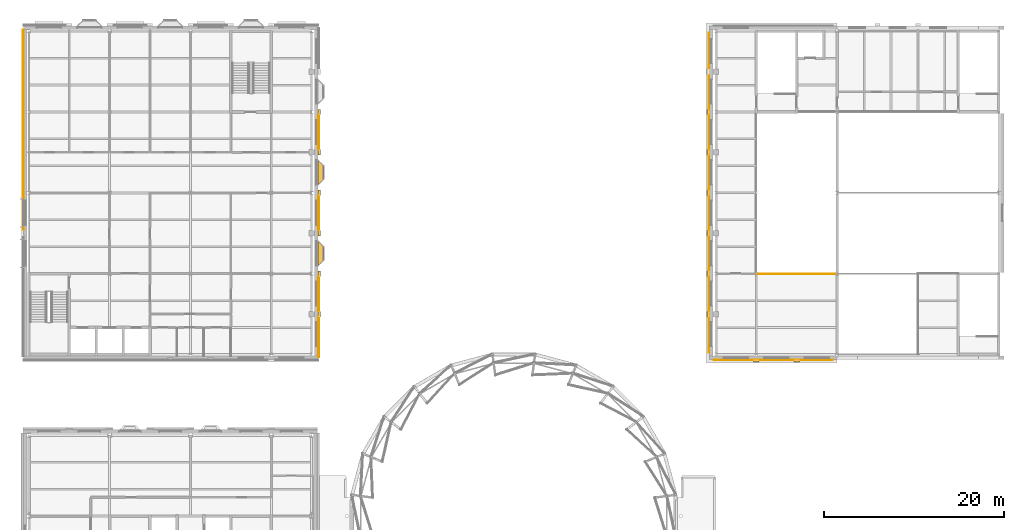
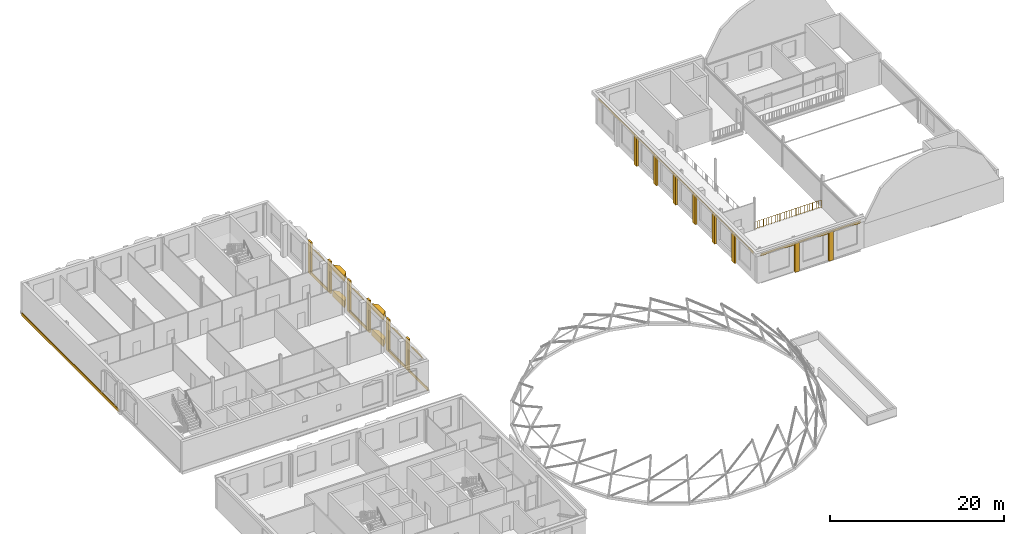
# One storey, part 52 of 59: 29 coverings, 1 railing.
"""IFC4 building model written with IfcOpenShell, lengths in metres."""

from ifc_helpers import new_model, si_unit, direction, frame, origin, origin_2d, place, context, subcontext, project, spatial, polyline, rectangle, circle, outline, extrude, material, layer, layer_set, type_object, element, save


model = new_model("IFC4")

# Units and contexts
model_context = context("Model", 3, precision=1e-05, world=origin(), true_north=direction((0.0, 1.0)))
body_context = subcontext(model_context, "Body", "Model", "MODEL_VIEW")
ifc_project = project(units=[si_unit("LENGTHUNIT", "METRE"), si_unit("AREAUNIT", "SQUARE_METRE"), si_unit("VOLUMEUNIT", "CUBIC_METRE"), si_unit("PLANEANGLEUNIT", "RADIAN"), si_unit("MASSUNIT", "GRAM", prefix="KILO")], contexts=[model_context])

# Site, building, storey
site_placement = place(None, origin())
site = spatial("IfcSite", under=ifc_project, at=site_placement, CompositionType="ELEMENT")
building_placement = place(site_placement, origin())
building = spatial("IfcBuilding", under=site, at=building_placement, Name="Hortulan Conservatory and Botanical Research Centre", CompositionType="ELEMENT")
storey_placement = place(building_placement, frame((0.0, 0.0, 10.5)))
storey = spatial("IfcBuildingStorey", under=building, at=storey_placement, Name="L02", CompositionType="ELEMENT", Elevation=10.5)

# Coverings
ifc_material_1 = material(Name="Faience cladding, cream glaze (non-combustible)", Category="ceramic")
ifc_layer_1 = layer(ifc_material_1, 0.030029296875)
ifc_layer_set_1 = layer_set([ifc_layer_1], Name="Faience Ogee Head Panel Cream 2700x500")
covering_type_1 = type_object("IfcCoveringType", Name="Faience Ogee Head Panel Cream 2700x500", PredefinedType="CLADDING", material=ifc_layer_set_1)
covering_1_placement = place(storey_placement, frame((32.239990234375, 53.10009765625, 3.820068359375), z_axis=(0.0, 0.0, 1.0), x_axis=(0.0, -1.0, 0.0)))
element("IfcCovering", 1, at=covering_1_placement, inside=storey, type_object=covering_type_1, Name="Ogee head panel", PredefinedType="CLADDING", context=body_context, shape_type="SweptSolid", body=[
    extrude(outline(polyline([(0.0, 0.0), (2.699951171875, 0.0), (2.699951171875, 0.079833984375), (2.58740234375, 0.1484375), (2.47509765625, 0.208251953125), (2.362548828125, 0.252197265625), (2.25, 0.278076171875), (2.137451171875, 0.28857421875), (2.02490234375, 0.2900390625), (1.91259765625, 0.291259765625), (1.800048828125, 0.3017578125), (1.6875, 0.32763671875), (1.574951171875, 0.371826171875), (1.46240234375, 0.431396484375), (1.35009765625, 0.5), (1.237548828125, 0.431396484375), (1.125, 0.371826171875), (1.012451171875, 0.32763671875), (0.89990234375, 0.3017578125), (0.78759765625, 0.291259765625), (0.675048828125, 0.2900390625), (0.5625, 0.28857421875), (0.449951171875, 0.278076171875), (0.33740234375, 0.252197265625), (0.22509765625, 0.208251953125), (0.112548828125, 0.1484375), (0.0, 0.079833984375), (0.0, 0.0)])), frame((0.0, 0.01513671875, 0.0), z_axis=(0.0, -1.0, 0.0), x_axis=(1.0, 0.0, 0.0)), (0.0, 0.0, 1.0), 0.030029296875),
])
ifc_material_2 = material(Name="Faience cladding, waratah crimson glaze (non-combustible)", Category="ceramic")
ifc_layer_2 = layer(ifc_material_2, 0.030029296875)
ifc_layer_set_2 = layer_set([ifc_layer_2], Name="Faience Ogee Head Panel Crimson 2700x500")
covering_type_2 = type_object("IfcCoveringType", Name="Faience Ogee Head Panel Crimson 2700x500", PredefinedType="CLADDING", material=ifc_layer_set_2)
for number, where, z_axis, x_axis, name in (
    (2, (32.239990234375, 39.60009765625, 3.820068359375), (0.0, 0.0, 1.0), (0.0, -1.0, 0.0), "Ogee head panel"),
    (3, (32.239990234375, 62.10009765625, 3.820068359375), (0.0, 0.0, 1.0), (0.0, -1.0, 0.0), "Ogee head panel"),
):
    element("IfcCovering", number, at=place(storey_placement, frame(where, z_axis=z_axis, x_axis=x_axis)), inside=storey, type_object=covering_type_2, Name=name, PredefinedType="CLADDING", context=body_context, shape_type="SweptSolid", body=[
        extrude(outline(polyline([(0.0, 0.0), (2.699951171875, 0.0), (2.699951171875, 0.079833984375), (2.58740234375, 0.1484375), (2.47509765625, 0.208251953125), (2.362548828125, 0.252197265625), (2.25, 0.278076171875), (2.137451171875, 0.28857421875), (2.02490234375, 0.2900390625), (1.91259765625, 0.291259765625), (1.800048828125, 0.3017578125), (1.6875, 0.32763671875), (1.574951171875, 0.371826171875), (1.46240234375, 0.431396484375), (1.35009765625, 0.5), (1.237548828125, 0.431396484375), (1.125, 0.371826171875), (1.012451171875, 0.32763671875), (0.89990234375, 0.3017578125), (0.78759765625, 0.291259765625), (0.675048828125, 0.2900390625), (0.5625, 0.28857421875), (0.449951171875, 0.278076171875), (0.33740234375, 0.252197265625), (0.22509765625, 0.208251953125), (0.112548828125, 0.1484375), (0.0, 0.079833984375), (0.0, 0.0)])), frame((0.0, 0.01513671875, 0.0), z_axis=(0.0, -1.0, 0.0), x_axis=(1.0, 0.0, 0.0)), (0.0, 0.0, 1.0), 0.030029296875),
    ])
ifc_material_3 = material(Name="Faience cladding, harbour teal glaze (non-combustible)", Category="ceramic")
ifc_layer_3 = layer(ifc_material_3, 0.030029296875)
ifc_layer_set_3 = layer_set([ifc_layer_3], Name="Faience Ogee Head Panel Teal 2700x500")
covering_type_3 = type_object("IfcCoveringType", Name="Faience Ogee Head Panel Teal 2700x500", PredefinedType="CLADDING", material=ifc_layer_set_3)
covering_2_placement = place(storey_placement, frame((32.239990234375, 44.10009765625, 3.820068359375), z_axis=(0.0, 0.0, 1.0), x_axis=(0.0, -1.0, 0.0)))
element("IfcCovering", 4, at=covering_2_placement, inside=storey, type_object=covering_type_3, Name="Ogee head panel", PredefinedType="CLADDING", context=body_context, shape_type="SweptSolid", body=[
    extrude(outline(polyline([(0.0, 0.0), (2.699951171875, 0.0), (2.699951171875, 0.079833984375), (2.58740234375, 0.1484375), (2.47509765625, 0.208251953125), (2.362548828125, 0.252197265625), (2.25, 0.278076171875), (2.137451171875, 0.28857421875), (2.02490234375, 0.2900390625), (1.91259765625, 0.291259765625), (1.800048828125, 0.3017578125), (1.6875, 0.32763671875), (1.574951171875, 0.371826171875), (1.46240234375, 0.431396484375), (1.35009765625, 0.5), (1.237548828125, 0.431396484375), (1.125, 0.371826171875), (1.012451171875, 0.32763671875), (0.89990234375, 0.3017578125), (0.78759765625, 0.291259765625), (0.675048828125, 0.2900390625), (0.5625, 0.28857421875), (0.449951171875, 0.278076171875), (0.33740234375, 0.252197265625), (0.22509765625, 0.208251953125), (0.112548828125, 0.1484375), (0.0, 0.079833984375), (0.0, 0.0)])), frame((0.0, 0.01513671875, 0.0), z_axis=(0.0, -1.0, 0.0), x_axis=(1.0, 0.0, 0.0)), (0.0, 0.0, 1.0), 0.030029296875),
])
ifc_material_4 = material(Name="Faience-faced brickwork masonry", Category="masonry")
covering_type_4 = type_object("IfcCoveringType", Name="Faience Oriel Base", PredefinedType="CLADDING", material=ifc_material_4)
covering_3_placement = place(storey_placement, origin())
element("IfcCovering", 5, at=covering_3_placement, inside=storey, type_object=covering_type_4, Name="Oriel base", PredefinedType="CLADDING", context=body_context, shape_type="SweptSolid", body=[
    extrude(outline(polyline([(32.22509765625, 48.60009765625), (32.824951171875, 48.0), (32.824951171875, 46.5), (32.22509765625, 45.89990234375), (32.22509765625, 48.60009765625)])), origin(), (0.0, 0.0, 1.0), 0.89990234375),
])
covering_4_placement = place(storey_placement, origin())
element("IfcCovering", 6, at=covering_4_placement, inside=storey, type_object=covering_type_4, Name="Oriel base", PredefinedType="CLADDING", context=body_context, shape_type="SweptSolid", body=[
    extrude(outline(polyline([(32.22509765625, 57.60009765625), (32.824951171875, 57.0), (32.824951171875, 55.5), (32.22509765625, 54.89990234375), (32.22509765625, 57.60009765625)])), origin(), (0.0, 0.0, 1.0), 0.89990234375),
])
covering_type_5 = type_object("IfcCoveringType", Name="Faience Oriel Frieze", PredefinedType="CLADDING", material=ifc_material_4)
covering_5_placement = place(storey_placement, frame((0.0, 0.0, 3.699951171875)))
element("IfcCovering", 7, at=covering_5_placement, inside=storey, type_object=covering_type_5, Name="Oriel frieze", PredefinedType="CLADDING", context=body_context, shape_type="SweptSolid", body=[
    extrude(outline(polyline([(32.22509765625, 48.60009765625), (32.824951171875, 48.0), (32.824951171875, 46.5), (32.22509765625, 45.89990234375), (32.22509765625, 48.60009765625)])), origin(), (0.0, 0.0, 1.0), 0.800048828125),
])
covering_6_placement = place(storey_placement, frame((0.0, 0.0, 3.699951171875)))
element("IfcCovering", 8, at=covering_6_placement, inside=storey, type_object=covering_type_5, Name="Oriel frieze", PredefinedType="CLADDING", context=body_context, shape_type="SweptSolid", body=[
    extrude(outline(polyline([(32.22509765625, 57.60009765625), (32.824951171875, 57.0), (32.824951171875, 55.5), (32.22509765625, 54.89990234375), (32.22509765625, 57.60009765625)])), origin(), (0.0, 0.0, 1.0), 0.800048828125),
])
ifc_layer_4 = layer(ifc_material_1, 0.25)
ifc_layer_set_4 = layer_set([ifc_layer_4], Name="Faience Pilaster 600x250")
covering_type_6 = type_object("IfcCoveringType", Name="Faience Pilaster 600x250", PredefinedType="CLADDING", material=ifc_layer_set_4)
for number, where, z_axis, x_axis, name in (
    (9, (32.35009765625, 63.0, 0.0), (0.0, 0.0, 1.0), (0.0, -1.0, 0.0), "Pier"),
    (10, (32.35009765625, 58.5, 0.0), (0.0, 0.0, 1.0), (0.0, -1.0, 0.0), "Pier"),
    (11, (32.35009765625, 54.0, 0.0), (0.0, 0.0, 1.0), (0.0, -1.0, 0.0), "Pier"),
    (12, (32.35009765625, 49.5, 0.0), (0.0, 0.0, 1.0), (0.0, -1.0, 0.0), "Pier"),
    (13, (32.35009765625, 45.0, 0.0), (0.0, 0.0, 1.0), (0.0, -1.0, 0.0), "Pier"),
    (14, (32.35009765625, 40.5, 0.0), (0.0, 0.0, 1.0), (0.0, -1.0, 0.0), "Pier"),
):
    element("IfcCovering", number, at=place(storey_placement, frame(where, z_axis=z_axis, x_axis=x_axis)), inside=storey, type_object=covering_type_6, Name=name, PredefinedType="CLADDING", context=body_context, shape_type="SweptSolid", body=[
        extrude(rectangle(XDim=0.60009765625, YDim=0.25, at=origin_2d()), origin(), (0.0, 0.0, 1.0), 4.5),
    ])
for number, where, z_axis, x_axis, name in (
    (15, (85.5, 35.29541015625, 0.0), (0.0, 0.0, 1.0), (-1.0, 0.0, 0.0), "Pier"),
    (16, (81.0, 35.29541015625, 0.0), (0.0, 0.0, 1.0), (-1.0, 0.0, 0.0), "Pier"),
    (17, (75.64990234375, 40.5, 0.0), (0.0, 0.0, 1.0), (0.0, 1.0, 0.0), "Pier"),
    (18, (75.64990234375, 45.0, 0.0), (0.0, 0.0, 1.0), (0.0, 1.0, 0.0), "Pier"),
    (19, (75.64990234375, 49.5, 0.0), (0.0, 0.0, 1.0), (0.0, 1.0, 0.0), "Pier"),
    (20, (75.64990234375, 54.0, 0.0), (0.0, 0.0, 1.0), (0.0, 1.0, 0.0), "Pier"),
    (21, (75.64990234375, 58.5, 0.0), (0.0, 0.0, 1.0), (0.0, 1.0, 0.0), "Pier"),
    (22, (75.64990234375, 63.0, 0.0), (0.0, 0.0, 1.0), (0.0, 1.0, 0.0), "Pier"),
):
    element("IfcCovering", number, at=place(storey_placement, frame(where, z_axis=z_axis, x_axis=x_axis)), inside=storey, type_object=covering_type_6, Name=name, PredefinedType="CLADDING", context=body_context, shape_type="SweptSolid", body=[
        extrude(rectangle(XDim=0.60009765625, YDim=0.25, at=origin_2d()), origin(), (0.0, 0.0, 1.0), 4.050048828125),
    ])
ifc_layer_5 = layer(ifc_material_3, 0.10009765625)
ifc_layer_set_5 = layer_set([ifc_layer_5], Name="Faience String Course 400x100 Teal")
covering_type_7 = type_object("IfcCoveringType", Name="Faience String Course 400x100 Teal", PredefinedType="CLADDING", material=ifc_layer_set_5)
covering_7_placement = place(storey_placement, frame((-0.62939453125, 60.999755859375, 0.0), z_axis=(0.0, 0.0, 1.0), x_axis=(0.0, 1.0, 0.0)))
element("IfcCovering", 23, at=covering_7_placement, inside=storey, type_object=covering_type_7, Name="String course", PredefinedType="CLADDING", context=body_context, shape_type="SweptSolid", body=[
    extrude(rectangle(XDim=22.359619140625, YDim=0.10009765625, at=origin_2d()), origin(), (0.0, 0.0, 1.0), 0.39990234375),
])
for number, where, z_axis, x_axis, name in (
    (24, (32.27490234375, 60.75, 0.0), (0.0, 0.0, 1.0), (0.0, -1.0, 0.0), "String course"),
    (25, (32.27490234375, 51.75, 0.0), (0.0, 0.0, 1.0), (0.0, -1.0, 0.0), "String course"),
    (26, (32.27490234375, 42.75, 0.0), (0.0, 0.0, 1.0), (0.0, -1.0, 0.0), "String course"),
):
    element("IfcCovering", number, at=place(storey_placement, frame(where, z_axis=z_axis, x_axis=x_axis)), inside=storey, type_object=covering_type_7, Name=name, PredefinedType="CLADDING", context=body_context, shape_type="SweptSolid", body=[
        extrude(rectangle(XDim=3.860107421875, YDim=0.10009765625, at=origin_2d()), origin(), (0.0, 0.0, 1.0), 0.39990234375),
    ])
covering_8_placement = place(storey_placement, frame((32.27490234375, 37.927490234375, 0.0), z_axis=(0.0, 0.0, 1.0), x_axis=(0.0, -1.0, 0.0)))
element("IfcCovering", 27, at=covering_8_placement, inside=storey, type_object=covering_type_7, Name="String course", PredefinedType="CLADDING", context=body_context, shape_type="SweptSolid", body=[
    extrude(rectangle(XDim=4.5048828125, YDim=0.10009765625, at=origin_2d()), origin(), (0.0, 0.0, 1.0), 0.39990234375),
])

# Railing
ifc_material_5 = material(Name="Wrought iron guard, bronze-charcoal paint", Category="metal")
railing_type = type_object("IfcRailingType", Name="Ironwork Void Guard 1100", PredefinedType="GUARDRAIL", material=ifc_material_5)
railing_placement = place(storey_placement, frame((89.80322265625, 44.93994140625, 0.0)))
element("IfcRailing", 28, at=railing_placement, inside=storey, type_object=railing_type, Name="Guard L02 Aud Foyer L02 13", PredefinedType="GUARDRAIL", context=body_context, shape_type="SweptSolid", body=[
    extrude(circle(Radius=0.02392578125, at=origin_2d()), frame((0.0, 0.0, 1.076171875), z_axis=(-1.0, 0.0, 0.0), x_axis=(0.0, -1.0, 0.0)), (0.0, 0.0, 1.0), 8.8212890625),
    extrude(circle(Radius=0.02392578125, at=origin_2d()), frame((0.0, 0.0, 0.1240234375), z_axis=(-1.0, 0.0, 0.0), x_axis=(0.0, -1.0, 0.0)), (0.0, 0.0, 1.0), 8.8212890625),
    extrude(circle(Radius=0.008056640625, at=origin_2d()), frame((-0.10888671875, 0.0, 0.148193359375)), (0.0, 0.0, 1.0), 0.90380859375),
    extrude(circle(Radius=0.008056640625, at=origin_2d()), frame((-0.2177734375, 0.0, 0.148193359375)), (0.0, 0.0, 1.0), 0.90380859375),
    extrude(circle(Radius=0.008056640625, at=origin_2d()), frame((-0.32666015625, 0.0, 0.148193359375)), (0.0, 0.0, 1.0), 0.90380859375),
    extrude(circle(Radius=0.008056640625, at=origin_2d()), frame((-0.435546875, 0.0, 0.148193359375)), (0.0, 0.0, 1.0), 0.90380859375),
    extrude(circle(Radius=0.008056640625, at=origin_2d()), frame((-0.54443359375, 0.0, 0.148193359375)), (0.0, 0.0, 1.0), 0.90380859375),
    extrude(circle(Radius=0.008056640625, at=origin_2d()), frame((-0.6533203125, 0.0, 0.148193359375)), (0.0, 0.0, 1.0), 0.90380859375),
    extrude(circle(Radius=0.008056640625, at=origin_2d()), frame((-0.762451171875, 0.0, 0.148193359375)), (0.0, 0.0, 1.0), 0.90380859375),
    extrude(circle(Radius=0.008056640625, at=origin_2d()), frame((-0.871337890625, 0.0, 0.148193359375)), (0.0, 0.0, 1.0), 0.90380859375),
    extrude(circle(Radius=0.008056640625, at=origin_2d()), frame((-0.980224609375, 0.0, 0.148193359375)), (0.0, 0.0, 1.0), 0.90380859375),
    extrude(circle(Radius=0.008056640625, at=origin_2d()), frame((-1.089111328125, 0.0, 0.148193359375)), (0.0, 0.0, 1.0), 0.90380859375),
    extrude(circle(Radius=0.008056640625, at=origin_2d()), frame((-1.197998046875, 0.0, 0.148193359375)), (0.0, 0.0, 1.0), 0.90380859375),
    extrude(circle(Radius=0.008056640625, at=origin_2d()), frame((-1.306884765625, 0.0, 0.148193359375)), (0.0, 0.0, 1.0), 0.90380859375),
    extrude(circle(Radius=0.008056640625, at=origin_2d()), frame((-1.415771484375, 0.0, 0.148193359375)), (0.0, 0.0, 1.0), 0.90380859375),
    extrude(circle(Radius=0.008056640625, at=origin_2d()), frame((-1.524658203125, 0.0, 0.148193359375)), (0.0, 0.0, 1.0), 0.90380859375),
    extrude(circle(Radius=0.008056640625, at=origin_2d()), frame((-1.633544921875, 0.0, 0.148193359375)), (0.0, 0.0, 1.0), 0.90380859375),
    extrude(circle(Radius=0.008056640625, at=origin_2d()), frame((-1.742431640625, 0.0, 0.148193359375)), (0.0, 0.0, 1.0), 0.90380859375),
    extrude(circle(Radius=0.008056640625, at=origin_2d()), frame((-1.851318359375, 0.0, 0.148193359375)), (0.0, 0.0, 1.0), 0.90380859375),
    extrude(circle(Radius=0.008056640625, at=origin_2d()), frame((-1.960205078125, 0.0, 0.148193359375)), (0.0, 0.0, 1.0), 0.90380859375),
    extrude(circle(Radius=0.008056640625, at=origin_2d()), frame((-2.069091796875, 0.0, 0.148193359375)), (0.0, 0.0, 1.0), 0.90380859375),
    extrude(circle(Radius=0.008056640625, at=origin_2d()), frame((-2.177978515625, 0.0, 0.148193359375)), (0.0, 0.0, 1.0), 0.90380859375),
    extrude(circle(Radius=0.008056640625, at=origin_2d()), frame((-2.287109375, 0.0, 0.148193359375)), (0.0, 0.0, 1.0), 0.90380859375),
    extrude(circle(Radius=0.008056640625, at=origin_2d()), frame((-2.39599609375, 0.0, 0.148193359375)), (0.0, 0.0, 1.0), 0.90380859375),
    extrude(circle(Radius=0.008056640625, at=origin_2d()), frame((-2.5048828125, 0.0, 0.148193359375)), (0.0, 0.0, 1.0), 0.90380859375),
    extrude(circle(Radius=0.008056640625, at=origin_2d()), frame((-2.61376953125, 0.0, 0.148193359375)), (0.0, 0.0, 1.0), 0.90380859375),
    extrude(circle(Radius=0.008056640625, at=origin_2d()), frame((-2.72265625, 0.0, 0.148193359375)), (0.0, 0.0, 1.0), 0.90380859375),
    extrude(circle(Radius=0.008056640625, at=origin_2d()), frame((-2.83154296875, 0.0, 0.148193359375)), (0.0, 0.0, 1.0), 0.90380859375),
    extrude(circle(Radius=0.008056640625, at=origin_2d()), frame((-2.9404296875, 0.0, 0.148193359375)), (0.0, 0.0, 1.0), 0.90380859375),
    extrude(circle(Radius=0.008056640625, at=origin_2d()), frame((-3.04931640625, 0.0, 0.148193359375)), (0.0, 0.0, 1.0), 0.90380859375),
    extrude(circle(Radius=0.008056640625, at=origin_2d()), frame((-3.158203125, 0.0, 0.148193359375)), (0.0, 0.0, 1.0), 0.90380859375),
    extrude(circle(Radius=0.008056640625, at=origin_2d()), frame((-3.26708984375, 0.0, 0.148193359375)), (0.0, 0.0, 1.0), 0.90380859375),
    extrude(circle(Radius=0.008056640625, at=origin_2d()), frame((-3.3759765625, 0.0, 0.148193359375)), (0.0, 0.0, 1.0), 0.90380859375),
    extrude(circle(Radius=0.008056640625, at=origin_2d()), frame((-3.48486328125, 0.0, 0.148193359375)), (0.0, 0.0, 1.0), 0.90380859375),
    extrude(circle(Radius=0.008056640625, at=origin_2d()), frame((-3.59375, 0.0, 0.148193359375)), (0.0, 0.0, 1.0), 0.90380859375),
    extrude(circle(Radius=0.008056640625, at=origin_2d()), frame((-3.702880859375, 0.0, 0.148193359375)), (0.0, 0.0, 1.0), 0.90380859375),
    extrude(circle(Radius=0.008056640625, at=origin_2d()), frame((-3.811767578125, 0.0, 0.148193359375)), (0.0, 0.0, 1.0), 0.90380859375),
    extrude(circle(Radius=0.008056640625, at=origin_2d()), frame((-3.920654296875, 0.0, 0.148193359375)), (0.0, 0.0, 1.0), 0.90380859375),
    extrude(circle(Radius=0.008056640625, at=origin_2d()), frame((-4.029541015625, 0.0, 0.148193359375)), (0.0, 0.0, 1.0), 0.90380859375),
    extrude(circle(Radius=0.008056640625, at=origin_2d()), frame((-4.138427734375, 0.0, 0.148193359375)), (0.0, 0.0, 1.0), 0.90380859375),
    extrude(circle(Radius=0.008056640625, at=origin_2d()), frame((-4.247314453125, 0.0, 0.148193359375)), (0.0, 0.0, 1.0), 0.90380859375),
    extrude(circle(Radius=0.008056640625, at=origin_2d()), frame((-4.356201171875, 0.0, 0.148193359375)), (0.0, 0.0, 1.0), 0.90380859375),
    extrude(circle(Radius=0.008056640625, at=origin_2d()), frame((-4.465087890625, 0.0, 0.148193359375)), (0.0, 0.0, 1.0), 0.90380859375),
    extrude(circle(Radius=0.008056640625, at=origin_2d()), frame((-4.573974609375, 0.0, 0.148193359375)), (0.0, 0.0, 1.0), 0.90380859375),
    extrude(circle(Radius=0.008056640625, at=origin_2d()), frame((-4.682861328125, 0.0, 0.148193359375)), (0.0, 0.0, 1.0), 0.90380859375),
    extrude(circle(Radius=0.008056640625, at=origin_2d()), frame((-4.791748046875, 0.0, 0.148193359375)), (0.0, 0.0, 1.0), 0.90380859375),
    extrude(circle(Radius=0.008056640625, at=origin_2d()), frame((-4.900634765625, 0.0, 0.148193359375)), (0.0, 0.0, 1.0), 0.90380859375),
    extrude(circle(Radius=0.008056640625, at=origin_2d()), frame((-5.009521484375, 0.0, 0.148193359375)), (0.0, 0.0, 1.0), 0.90380859375),
    extrude(circle(Radius=0.008056640625, at=origin_2d()), frame((-5.118408203125, 0.0, 0.148193359375)), (0.0, 0.0, 1.0), 0.90380859375),
    extrude(circle(Radius=0.008056640625, at=origin_2d()), frame((-5.2275390625, 0.0, 0.148193359375)), (0.0, 0.0, 1.0), 0.90380859375),
    extrude(circle(Radius=0.008056640625, at=origin_2d()), frame((-5.33642578125, 0.0, 0.148193359375)), (0.0, 0.0, 1.0), 0.90380859375),
    extrude(circle(Radius=0.008056640625, at=origin_2d()), frame((-5.4453125, 0.0, 0.148193359375)), (0.0, 0.0, 1.0), 0.90380859375),
    extrude(circle(Radius=0.008056640625, at=origin_2d()), frame((-5.55419921875, 0.0, 0.148193359375)), (0.0, 0.0, 1.0), 0.90380859375),
    extrude(circle(Radius=0.008056640625, at=origin_2d()), frame((-5.6630859375, 0.0, 0.148193359375)), (0.0, 0.0, 1.0), 0.90380859375),
    extrude(circle(Radius=0.008056640625, at=origin_2d()), frame((-5.77197265625, 0.0, 0.148193359375)), (0.0, 0.0, 1.0), 0.90380859375),
    extrude(circle(Radius=0.008056640625, at=origin_2d()), frame((-5.880859375, 0.0, 0.148193359375)), (0.0, 0.0, 1.0), 0.90380859375),
    extrude(circle(Radius=0.008056640625, at=origin_2d()), frame((-5.98974609375, 0.0, 0.148193359375)), (0.0, 0.0, 1.0), 0.90380859375),
    extrude(circle(Radius=0.008056640625, at=origin_2d()), frame((-6.0986328125, 0.0, 0.148193359375)), (0.0, 0.0, 1.0), 0.90380859375),
    extrude(circle(Radius=0.008056640625, at=origin_2d()), frame((-6.20751953125, 0.0, 0.148193359375)), (0.0, 0.0, 1.0), 0.90380859375),
    extrude(circle(Radius=0.008056640625, at=origin_2d()), frame((-6.31640625, 0.0, 0.148193359375)), (0.0, 0.0, 1.0), 0.90380859375),
    extrude(circle(Radius=0.008056640625, at=origin_2d()), frame((-6.42529296875, 0.0, 0.148193359375)), (0.0, 0.0, 1.0), 0.90380859375),
    extrude(circle(Radius=0.008056640625, at=origin_2d()), frame((-6.5341796875, 0.0, 0.148193359375)), (0.0, 0.0, 1.0), 0.90380859375),
    extrude(circle(Radius=0.008056640625, at=origin_2d()), frame((-6.643310546875, 0.0, 0.148193359375)), (0.0, 0.0, 1.0), 0.90380859375),
    extrude(circle(Radius=0.008056640625, at=origin_2d()), frame((-6.752197265625, 0.0, 0.148193359375)), (0.0, 0.0, 1.0), 0.90380859375),
    extrude(circle(Radius=0.008056640625, at=origin_2d()), frame((-6.861083984375, 0.0, 0.148193359375)), (0.0, 0.0, 1.0), 0.90380859375),
    extrude(circle(Radius=0.008056640625, at=origin_2d()), frame((-6.969970703125, 0.0, 0.148193359375)), (0.0, 0.0, 1.0), 0.90380859375),
    extrude(circle(Radius=0.008056640625, at=origin_2d()), frame((-7.078857421875, 0.0, 0.148193359375)), (0.0, 0.0, 1.0), 0.90380859375),
    extrude(circle(Radius=0.008056640625, at=origin_2d()), frame((-7.187744140625, 0.0, 0.148193359375)), (0.0, 0.0, 1.0), 0.90380859375),
    extrude(circle(Radius=0.008056640625, at=origin_2d()), frame((-7.296630859375, 0.0, 0.148193359375)), (0.0, 0.0, 1.0), 0.90380859375),
    extrude(circle(Radius=0.008056640625, at=origin_2d()), frame((-7.405517578125, 0.0, 0.148193359375)), (0.0, 0.0, 1.0), 0.90380859375),
    extrude(circle(Radius=0.008056640625, at=origin_2d()), frame((-7.514404296875, 0.0, 0.148193359375)), (0.0, 0.0, 1.0), 0.90380859375),
    extrude(circle(Radius=0.008056640625, at=origin_2d()), frame((-7.623291015625, 0.0, 0.148193359375)), (0.0, 0.0, 1.0), 0.90380859375),
    extrude(circle(Radius=0.008056640625, at=origin_2d()), frame((-7.732177734375, 0.0, 0.148193359375)), (0.0, 0.0, 1.0), 0.90380859375),
    extrude(circle(Radius=0.008056640625, at=origin_2d()), frame((-7.841064453125, 0.0, 0.148193359375)), (0.0, 0.0, 1.0), 0.90380859375),
    extrude(circle(Radius=0.008056640625, at=origin_2d()), frame((-7.949951171875, 0.0, 0.148193359375)), (0.0, 0.0, 1.0), 0.90380859375),
    extrude(circle(Radius=0.008056640625, at=origin_2d()), frame((-8.058837890625, 0.0, 0.148193359375)), (0.0, 0.0, 1.0), 0.90380859375),
    extrude(circle(Radius=0.008056640625, at=origin_2d()), frame((-8.16796875, 0.0, 0.148193359375)), (0.0, 0.0, 1.0), 0.90380859375),
    extrude(circle(Radius=0.008056640625, at=origin_2d()), frame((-8.27685546875, 0.0, 0.148193359375)), (0.0, 0.0, 1.0), 0.90380859375),
    extrude(circle(Radius=0.008056640625, at=origin_2d()), frame((-8.3857421875, 0.0, 0.148193359375)), (0.0, 0.0, 1.0), 0.90380859375),
    extrude(circle(Radius=0.008056640625, at=origin_2d()), frame((-8.49462890625, 0.0, 0.148193359375)), (0.0, 0.0, 1.0), 0.90380859375),
    extrude(circle(Radius=0.008056640625, at=origin_2d()), frame((-8.603515625, 0.0, 0.148193359375)), (0.0, 0.0, 1.0), 0.90380859375),
    extrude(circle(Radius=0.008056640625, at=origin_2d()), frame((-8.71240234375, 0.0, 0.148193359375)), (0.0, 0.0, 1.0), 0.90380859375),
    extrude(circle(Radius=0.02099609375, at=origin_2d()), origin(), (0.0, 0.0, 1.0), 1.052001953125),
    extrude(circle(Radius=0.02099609375, at=origin_2d()), frame((-1.1025390625, 0.0, 0.0)), (0.0, 0.0, 1.0), 1.052001953125),
    extrude(circle(Radius=0.02099609375, at=origin_2d()), frame((-2.205322265625, 0.0, 0.0)), (0.0, 0.0, 1.0), 1.052001953125),
    extrude(circle(Radius=0.02099609375, at=origin_2d()), frame((-3.30810546875, 0.0, 0.0)), (0.0, 0.0, 1.0), 1.052001953125),
    extrude(circle(Radius=0.02099609375, at=origin_2d()), frame((-4.41064453125, 0.0, 0.0)), (0.0, 0.0, 1.0), 1.052001953125),
    extrude(circle(Radius=0.02099609375, at=origin_2d()), frame((-5.51318359375, 0.0, 0.0)), (0.0, 0.0, 1.0), 1.052001953125),
    extrude(circle(Radius=0.02099609375, at=origin_2d()), frame((-6.615966796875, 0.0, 0.0)), (0.0, 0.0, 1.0), 1.052001953125),
    extrude(circle(Radius=0.02099609375, at=origin_2d()), frame((-7.71875, 0.0, 0.0)), (0.0, 0.0, 1.0), 1.052001953125),
    extrude(circle(Radius=0.02099609375, at=origin_2d()), frame((-8.8212890625, 0.0, 0.0)), (0.0, 0.0, 1.0), 1.052001953125),
])

# Coverings
ifc_material_6 = material(Name="Faience cladding, wattle ochre glaze (non-combustible)", Category="ceramic")
ifc_layer_6 = layer(ifc_material_6, 0.050048828125)
ifc_layer_set_6 = layer_set([ifc_layer_6], Name="Whiplash Crown Frieze Panel 50")
covering_type_8 = type_object("IfcCoveringType", Name="Whiplash Crown Frieze Panel 50", PredefinedType="CLADDING", material=ifc_layer_set_6)
covering_9_placement = place(storey_placement, frame((89.5, 35.3955078125, 3.75), z_axis=(0.0, 0.0, 1.0), x_axis=(-1.0, 0.0, 0.0)))
element("IfcCovering", 29, at=covering_9_placement, inside=storey, type_object=covering_type_8, Name="Whiplash crown frieze", PredefinedType="CLADDING", context=body_context, shape_type="SweptSolid", body=[
    extrude(outline(polyline([(0.0, 0.0), (0.281494140625, 0.0), (0.562744140625, 0.00390625), (0.843994140625, 0.03369140625), (1.12548828125, 0.0751953125), (1.406982421875, 0.116455078125), (1.688232421875, 0.14599609375), (1.9697265625, 0.14990234375), (2.251220703125, 0.14990234375), (2.532470703125, 0.131591796875), (2.813720703125, 0.10986328125), (3.09521484375, 0.0908203125), (3.376708984375, 0.074951171875), (3.657958984375, 0.058837890625), (3.939453125, 0.039794921875), (4.220703125, 0.018310546875), (4.502197265625, 0.0), (4.783447265625, 0.0), (5.06494140625, 0.004150390625), (5.34619140625, 0.033935546875), (5.627685546875, 0.075439453125), (5.908935546875, 0.11669921875), (6.1904296875, 0.146240234375), (6.4716796875, 0.14990234375), (6.753173828125, 0.14990234375), (7.03466796875, 0.13134765625), (7.31591796875, 0.10986328125), (7.597412109375, 0.0908203125), (7.878662109375, 0.07470703125), (8.16015625, 0.058837890625), (8.44140625, 0.039794921875), (8.722900390625, 0.01806640625), (9.00439453125, 0.0), (9.28564453125, 0.0), (9.56689453125, 0.00439453125), (9.848388671875, 0.0341796875), (10.1298828125, 0.07568359375), (10.4111328125, 0.1171875), (10.692626953125, 0.146484375), (10.973876953125, 0.14990234375), (11.25537109375, 0.149658203125), (11.53662109375, 0.131103515625), (11.818115234375, 0.109619140625), (12.099609375, 0.090576171875), (12.380859375, 0.07470703125), (12.662109375, 0.05859375), (12.943603515625, 0.03955078125), (13.22509765625, 0.01806640625), (13.22509765625, 0.300048828125), (0.0, 0.300048828125), (0.0, 0.0)])), frame((0.0, 0.02490234375, 0.0), z_axis=(0.0, -1.0, 0.0), x_axis=(1.0, 0.0, 0.0)), (0.0, 0.0, 1.0), 0.050048828125),
])
covering_10_placement = place(storey_placement, frame((75.75, 36.175048828125, 3.75), z_axis=(0.0, 0.0, 1.0), x_axis=(0.0, 1.0, 0.0)))
element("IfcCovering", 30, at=covering_10_placement, inside=storey, type_object=covering_type_8, Name="Whiplash crown frieze", PredefinedType="CLADDING", context=body_context, shape_type="SweptSolid", body=[
    extrude(outline(polyline([(0.0, 0.0), (0.28076171875, 0.0), (0.561279296875, 0.00390625), (0.842041015625, 0.033447265625), (1.122802734375, 0.07470703125), (1.403564453125, 0.1162109375), (1.684326171875, 0.145751953125), (1.965087890625, 0.14990234375), (2.24560546875, 0.14990234375), (2.5263671875, 0.1318359375), (2.80712890625, 0.1103515625), (3.087890625, 0.09130859375), (3.368408203125, 0.075439453125), (3.649169921875, 0.0595703125), (3.929931640625, 0.04052734375), (4.210693359375, 0.01904296875), (4.4912109375, 0.00048828125), (4.77197265625, 0.0), (5.052734375, 0.00341796875), (5.33349609375, 0.0322265625), (5.6142578125, 0.0732421875), (5.89501953125, 0.114990234375), (6.175537109375, 0.14501953125), (6.456298828125, 0.14990234375), (6.737060546875, 0.14990234375), (7.017578125, 0.132568359375), (7.29833984375, 0.111083984375), (7.5791015625, 0.091796875), (7.85986328125, 0.07568359375), (8.140625, 0.06005859375), (8.42138671875, 0.041259765625), (8.701904296875, 0.019775390625), (8.982666015625, 0.0009765625), (9.263427734375, 0.0), (9.544189453125, 0.002685546875), (9.82470703125, 0.031005859375), (10.10546875, 0.072021484375), (10.38623046875, 0.11376953125), (10.6669921875, 0.14453125), (10.947509765625, 0.14990234375), (11.228271484375, 0.14990234375), (11.509033203125, 0.13330078125), (11.789794921875, 0.11181640625), (12.070556640625, 0.09228515625), (12.351318359375, 0.076416015625), (12.6318359375, 0.060546875), (12.91259765625, 0.041748046875), (13.193359375, 0.0205078125), (13.47412109375, 0.00146484375), (13.754638671875, 0.0), (14.035400390625, 0.002197265625), (14.316162109375, 0.030029296875), (14.596923828125, 0.070556640625), (14.877685546875, 0.112548828125), (15.158203125, 0.143798828125), (15.43896484375, 0.14990234375), (15.7197265625, 0.14990234375), (16.00048828125, 0.1337890625), (16.281005859375, 0.1123046875), (16.561767578125, 0.093017578125), (16.842529296875, 0.076904296875), (17.123291015625, 0.06103515625), (17.40380859375, 0.04248046875), (17.6845703125, 0.02099609375), (17.96533203125, 0.001708984375), (18.24609375, 0.0), (18.52685546875, 0.00146484375), (18.8076171875, 0.02880859375), (19.088134765625, 0.0693359375), (19.368896484375, 0.111328125), (19.649658203125, 0.14306640625), (19.930419921875, 0.14990234375), (20.2109375, 0.14990234375), (20.49169921875, 0.134521484375), (20.7724609375, 0.113037109375), (21.052978515625, 0.093505859375), (21.333984375, 0.0771484375), (21.614501953125, 0.0615234375), (21.895263671875, 0.043212890625), (22.176025390625, 0.021728515625), (22.456787109375, 0.002197265625), (22.7373046875, 0.0), (23.01806640625, 0.0009765625), (23.298828125, 0.02783203125), (23.57958984375, 0.068115234375), (23.860107421875, 0.110107421875), (24.140869140625, 0.142333984375), (24.421630859375, 0.14990234375), (24.702392578125, 0.14990234375), (24.983154296875, 0.13525390625), (25.263916015625, 0.11376953125), (25.54443359375, 0.093994140625), (25.8251953125, 0.07763671875), (26.10595703125, 0.06201171875), (26.38671875, 0.043701171875), (26.667236328125, 0.0224609375), (26.947998046875, 0.002685546875), (27.228759765625, 0.0), (27.509521484375, 0.00048828125), (27.790283203125, 0.026611328125), (28.07080078125, 0.066650390625), (28.3515625, 0.10888671875), (28.63232421875, 0.1416015625), (28.9130859375, 0.14990234375), (29.193603515625, 0.14990234375), (29.474365234375, 0.1357421875), (29.755126953125, 0.1142578125), (30.035888671875, 0.094482421875), (30.31640625, 0.078125), (30.59716796875, 0.0625), (30.8779296875, 0.044189453125), (31.15869140625, 0.02294921875), (31.439453125, 0.00341796875), (31.72021484375, 0.0), (32.000732421875, 0.0), (32.281494140625, 0.025634765625), (32.562255859375, 0.065185546875), (32.843017578125, 0.10791015625), (33.12353515625, 0.140869140625), (33.404296875, 0.14990234375), (33.68505859375, 0.14990234375), (33.9658203125, 0.136474609375), (34.24658203125, 0.114990234375), (34.527099609375, 0.09521484375), (34.807861328125, 0.07861328125), (35.088623046875, 0.06298828125), (35.369384765625, 0.044921875), (35.64990234375, 0.023681640625), (35.64990234375, 0.300048828125), (0.0, 0.300048828125), (0.0, 0.0)])), frame((0.0, 0.02490234375, 0.0), z_axis=(0.0, -1.0, 0.0), x_axis=(1.0, 0.0, 0.0)), (0.0, 0.0, 1.0), 0.050048828125),
])

save(model, "model.ifc")
